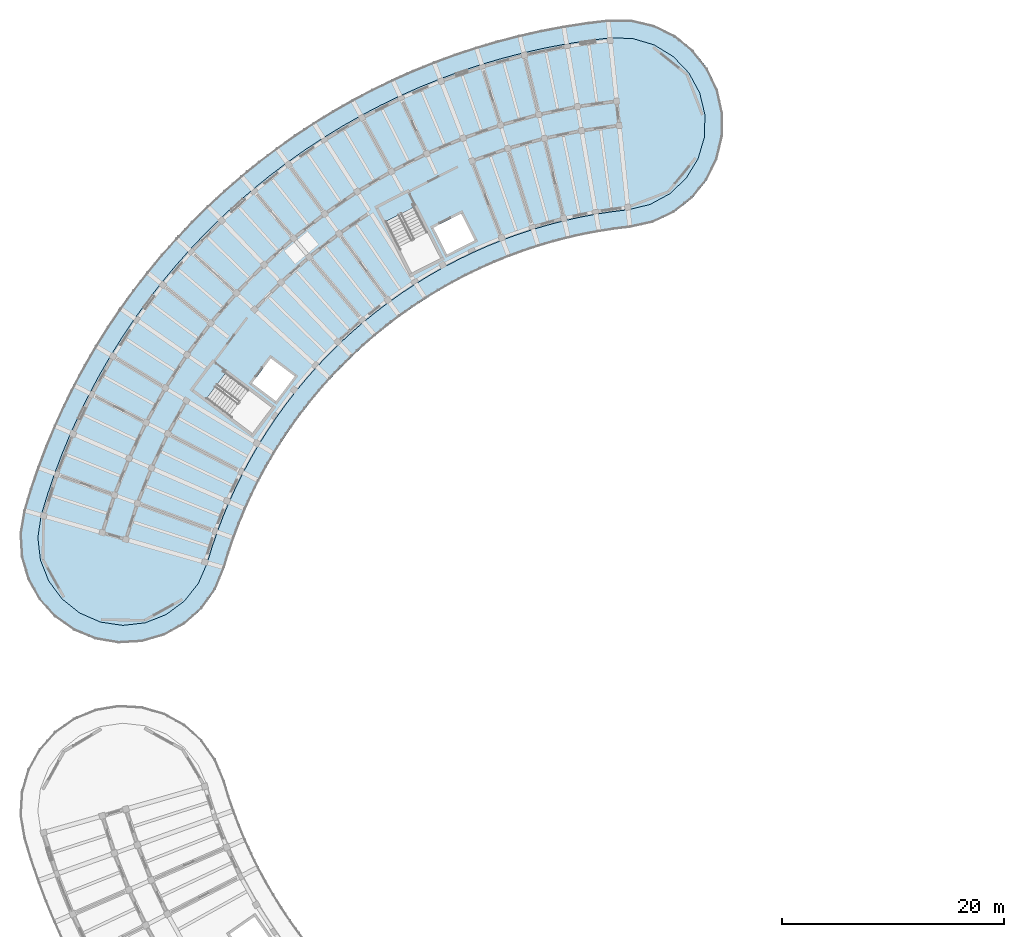
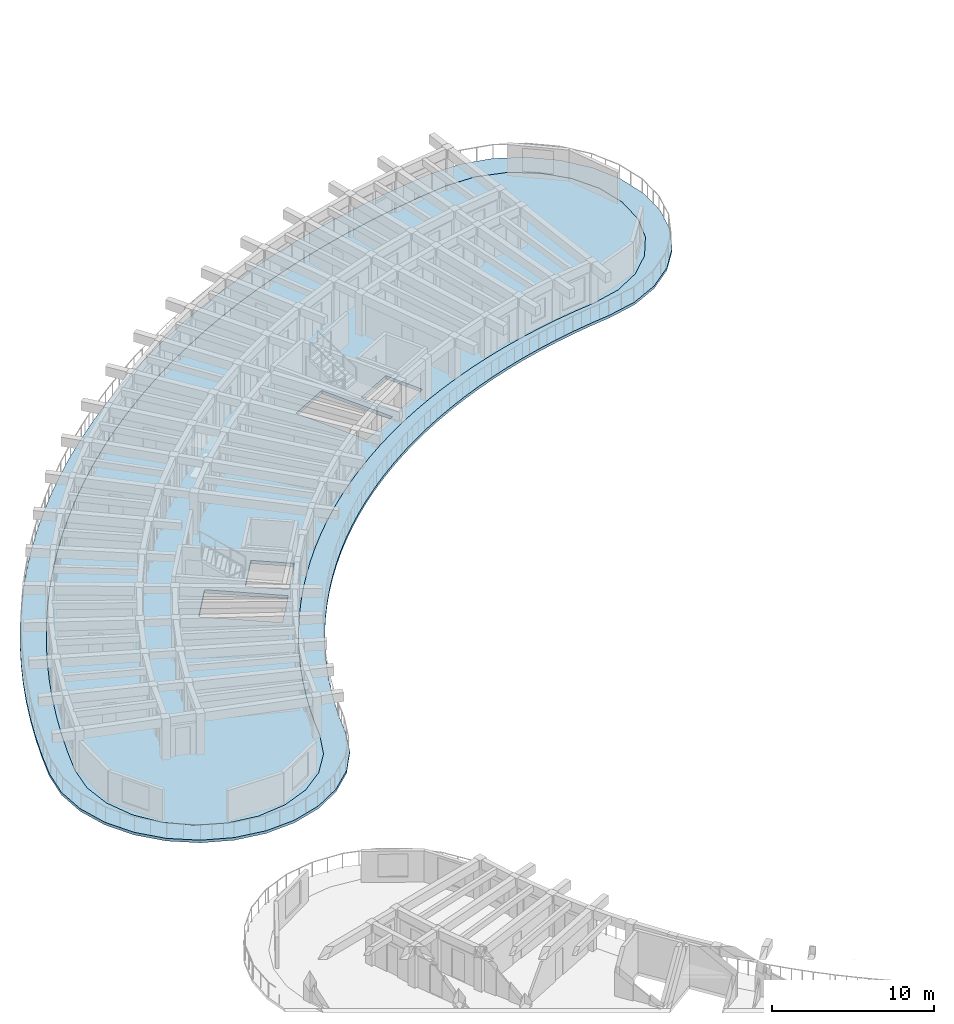
# One storey, part 33 of 81: 2 slabs.
"""IFC4 building model written with IfcOpenShell, lengths in metres."""

from ifc_helpers import new_model, si_unit, direction, frame, origin, place, context, subcontext, project, spatial, polyline, outline, extrude, material, layer, layer_set, type_object, element, save


model = new_model("IFC4")

# Units and contexts
model_context = context("Model", 3, precision=1e-05, world=origin(), true_north=direction((0.0, 1.0)))
body_context = subcontext(model_context, "Body", "Model", "MODEL_VIEW")
ifc_project = project(units=[si_unit("LENGTHUNIT", "METRE"), si_unit("AREAUNIT", "SQUARE_METRE"), si_unit("VOLUMEUNIT", "CUBIC_METRE"), si_unit("PLANEANGLEUNIT", "RADIAN"), si_unit("MASSUNIT", "GRAM", prefix="KILO")], contexts=[model_context])

# Site, building, storey
site_placement = place(None, origin())
site = spatial("IfcSite", under=ifc_project, at=site_placement, CompositionType="ELEMENT")
building_placement = place(site_placement, origin())
building = spatial("IfcBuilding", under=site, at=building_placement, Name="Tanwirah Colonnade Gardens", CompositionType="ELEMENT")
storey_placement = place(building_placement, frame((0.0, 0.0, 18.919921875)))
storey = spatial("IfcBuildingStorey", under=building, at=storey_placement, Name="L05", CompositionType="ELEMENT", Elevation=18.919921875)

# Slabs
ifc_material_1 = material(Name="White architectural precast concrete C40/50", Category="concrete")
ifc_layer_1 = layer(ifc_material_1, 0.199951171875)
ifc_layer_set_1 = layer_set([ifc_layer_1], Name="White architectural precast concrete C40/50")
slab_type_1 = type_object("IfcSlabType", Name="SL-BAL-200", PredefinedType="FLOOR", material=ifc_layer_set_1)
slab_1_placement = place(storey_placement, frame((0.0, 0.0, -0.199951171875)))
element("IfcSlab", 1, at=slab_1_placement, inside=storey, type_object=slab_type_1, Name="Block A L05 Continuous White Balcony Ribbon", PredefinedType="FLOOR", context=body_context, shape_type="SweptSolid", body=[
    extrude(outline(polyline([(62.602783203125, 103.019775390625), (64.505859375, 103.918701171875), (66.161376953125, 105.21875), (67.486083984375, 106.854736328125), (68.41357421875, 108.744140625), (68.897216796875, 110.792724609375), (68.9130859375, 112.897705078125), (68.4599609375, 114.953369140625), (67.560791015625, 116.8564453125), (66.2607421875, 118.511962890625), (64.625, 119.836669921875), (62.7353515625, 120.76416015625), (60.686767578125, 121.247802734375), (58.58203125, 121.263671875), (56.57275390625, 121.018798828125), (54.572509765625, 120.7080078125), (52.583740234375, 120.33154296875), (50.608642578125, 119.8896484375), (48.64892578125, 119.3828125), (46.70703125, 118.811767578125), (44.78515625, 118.1767578125), (42.885009765625, 117.47900390625), (41.009033203125, 116.718994140625), (39.1591796875, 115.8974609375), (37.33740234375, 115.015380859375), (35.545654296875, 114.073974609375), (33.785888671875, 113.07373046875), (32.06005859375, 112.01611328125), (30.3701171875, 110.90234375), (28.717529296875, 109.7333984375), (27.104736328125, 108.510498046875), (25.532958984375, 107.235107421875), (24.00390625, 105.90869140625), (22.51953125, 104.532470703125), (21.08154296875, 103.108154296875), (19.69091796875, 101.63720703125), (18.349853515625, 100.121337890625), (17.059326171875, 98.56201171875), (15.82080078125, 96.9609375), (14.6357421875, 95.320068359375), (13.505615234375, 93.640869140625), (12.431396484375, 91.92529296875), (11.414306640625, 90.17529296875), (10.455322265625, 88.392822265625), (9.5556640625, 86.57958984375), (8.71630859375, 84.73779296875), (7.93798828125, 82.869140625), (7.221923828125, 80.97607421875), (6.568359375, 79.060302734375), (5.978515625, 77.1240234375), (5.62841796875, 75.048583984375), (5.749267578125, 72.947021484375), (6.33447265625, 70.925048828125), (7.35498046875, 69.083984375), (8.759521484375, 67.516357421875), (10.477783203125, 66.30029296875), (12.42333984375, 65.497314453125), (14.4990234375, 65.147216796875), (16.6005859375, 65.267822265625), (18.62255859375, 65.853271484375), (20.46337890625, 66.873779296875), (22.03125, 68.2783203125), (23.2470703125, 69.996337890625), (24.05029296875, 71.942138671875), (24.45947265625, 73.28564453125), (24.912841796875, 74.61474609375), (25.409912109375, 75.92822265625), (25.94970703125, 77.224609375), (26.531982421875, 78.50244140625), (27.15625, 79.760498046875), (27.821533203125, 80.997314453125), (28.52734375, 82.21142578125), (29.272705078125, 83.401611328125), (30.056884765625, 84.566650390625), (30.87890625, 85.705078125), (31.73828125, 86.81591796875), (32.633544921875, 87.89794921875), (33.564208984375, 88.94970703125), (34.52880859375, 89.97021484375), (35.526611328125, 90.95849609375), (36.556396484375, 91.9130859375), (37.6171875, 92.83349609375), (38.707763671875, 93.71826171875), (39.826904296875, 94.566650390625), (40.973388671875, 95.3779296875), (42.14599609375, 96.150634765625), (43.34326171875, 96.884521484375), (44.564208984375, 97.578369140625), (45.807373046875, 98.231689453125), (47.0712890625, 98.843505859375), (48.354736328125, 99.41357421875), (49.656494140625, 99.94091796875), (50.974609375, 100.425048828125), (52.30810546875, 100.865478515625), (53.655517578125, 101.26171875), (55.01513671875, 101.61328125), (56.385498046875, 101.919921875), (57.765380859375, 102.18115234375), (59.153076171875, 102.396728515625), (60.547119140625, 102.566650390625), (62.602783203125, 103.019775390625)]), holes=[polyline([(62.3525390625, 104.652099609375), (60.376220703125, 104.177490234375), (58.930908203125, 104.00146484375), (58.930419921875, 104.00146484375), (57.490478515625, 103.777587890625), (57.489990234375, 103.777587890625), (56.058349609375, 103.506591796875), (56.0576171875, 103.50634765625), (54.6357421875, 103.188232421875), (54.635009765625, 103.18798828125), (53.224365234375, 102.8232421875), (53.2236328125, 102.822998046875), (51.825927734375, 102.411865234375), (51.8251953125, 102.411865234375), (50.441650390625, 101.954833984375), (50.44091796875, 101.95458984375), (49.0732421875, 101.4521484375), (49.07275390625, 101.451904296875), (47.72216796875, 100.90478515625), (47.7216796875, 100.904541015625), (46.389892578125, 100.313232421875), (46.38916015625, 100.31298828125), (45.077880859375, 99.677978515625), (45.0771484375, 99.677734375), (43.787353515625, 99.0), (43.786865234375, 98.99951171875), (42.52001953125, 98.279541015625), (42.51953125, 98.279296875), (41.277099609375, 97.51806640625), (41.276611328125, 97.517578125), (40.059814453125, 96.7158203125), (40.059326171875, 96.71533203125), (38.869873046875, 95.873779296875), (38.869384765625, 95.87353515625), (37.708251953125, 94.9931640625), (37.707763671875, 94.99267578125), (36.576171875, 94.07470703125), (36.57568359375, 94.07421875), (35.47509765625, 93.119384765625), (35.474609375, 93.118896484375), (34.406005859375, 92.12841796875), (34.405517578125, 92.1279296875), (33.370361328125, 91.1025390625), (33.369873046875, 91.10205078125), (32.368896484375, 90.043212890625), (32.368408203125, 90.042724609375), (31.40283203125, 88.951416015625), (31.402587890625, 88.950927734375), (30.473388671875, 87.828369140625), (30.47314453125, 87.827880859375), (29.58154296875, 86.67529296875), (29.581298828125, 86.6748046875), (28.728271484375, 85.493408203125), (28.727783203125, 85.492919921875), (27.9140625, 84.2841796875), (27.913818359375, 84.28369140625), (27.140380859375, 83.048828125), (27.14013671875, 83.048095703125), (26.407958984375, 81.788330078125), (26.40771484375, 81.787841796875), (25.71728515625, 80.504638671875), (25.717041015625, 80.504150390625), (25.0693359375, 79.19873046875), (25.069091796875, 79.1982421875), (24.46484375, 77.872314453125), (24.464599609375, 77.87158203125), (23.904296875, 76.526611328125), (23.904052734375, 76.52587890625), (23.388671875, 75.1630859375), (23.388427734375, 75.16259765625), (22.91796875, 73.783447265625), (22.917724609375, 73.78271484375), (22.493408203125, 72.39013671875), (21.68310546875, 70.526123046875), (20.418701171875, 68.936767578125), (18.7861328125, 67.728759765625), (16.896484375, 66.984375), (14.878662109375, 66.75439453125), (12.869873046875, 67.0546875), (11.007568359375, 67.864501953125), (9.41796875, 69.12890625), (8.2099609375, 70.761474609375), (7.465576171875, 72.651123046875), (7.23583984375, 74.6689453125), (7.5361328125, 76.6787109375), (8.110107421875, 78.562744140625), (8.746337890625, 80.427978515625), (9.443603515625, 82.271240234375), (10.201171875, 84.09033203125), (11.0185546875, 85.883544921875), (11.89453125, 87.64892578125), (12.828125, 89.384521484375), (13.818359375, 91.08837890625), (14.8642578125, 92.758544921875), (15.964599609375, 94.393310546875), (17.118408203125, 95.990966796875), (18.32421875, 97.5498046875), (19.58056640625, 99.068115234375), (20.886474609375, 100.5439453125), (22.240234375, 101.97607421875), (23.640380859375, 103.36279296875), (25.085693359375, 104.70263671875), (26.57421875, 105.994140625), (28.1044921875, 107.23583984375), (29.6748046875, 108.42626953125), (31.28369140625, 109.564453125), (32.92919921875, 110.649169921875), (34.609375, 111.6787109375), (36.32275390625, 112.652587890625), (38.067138671875, 113.5693359375), (39.841064453125, 114.427978515625), (41.64208984375, 115.227783203125), (43.468505859375, 115.9677734375), (45.318359375, 116.647216796875), (47.189697265625, 117.26513671875), (49.080322265625, 117.8212890625), (50.98828125, 118.314697265625), (52.911376953125, 118.744873046875), (54.84765625, 119.111572265625), (56.795166015625, 119.414306640625), (58.750244140625, 119.65234375), (60.781494140625, 119.59912109375), (62.728759765625, 119.0224609375), (64.46044921875, 117.961181640625), (65.858642578125, 116.488037109375), (66.82763671875, 114.703125), (67.3017578125, 112.728271484375), (67.24853515625, 110.697998046875), (66.671630859375, 108.750732421875), (65.610595703125, 107.01904296875), (64.137451171875, 105.62109375), (62.3525390625, 104.652099609375)])]), origin(), (0.0, 0.0, 1.0), 0.199951171875),
])
ifc_material_2 = material(Name="Precast concrete C40/50", Category="concrete")
ifc_layer_2 = layer(ifc_material_2, 0.25)
ifc_layer_set_2 = layer_set([ifc_layer_2], Name="Precast concrete C40/50")
slab_type_2 = type_object("IfcSlabType", Name="SL-RES-250", PredefinedType="FLOOR", material=ifc_layer_set_2)
slab_2_placement = place(storey_placement, frame((0.0, 0.0, -0.25)))
element("IfcSlab", 2, at=slab_2_placement, inside=storey, type_object=slab_type_2, Name="Block A L05 Precast Composite Floor Slab", PredefinedType="FLOOR", context=body_context, shape_type="SweptSolid", body=[
    extrude(outline(polyline([(57.49365234375, 103.758056640625), (58.933349609375, 103.981689453125), (60.3798828125, 104.157958984375), (62.35986328125, 104.63330078125), (64.149169921875, 105.604736328125), (65.626220703125, 107.00634765625), (66.690185546875, 108.74267578125), (67.2685546875, 110.695068359375), (67.32177734375, 112.73046875), (66.846435546875, 114.71044921875), (65.874755859375, 116.499755859375), (64.47314453125, 117.976806640625), (62.737060546875, 119.040771484375), (60.78466796875, 119.619140625), (58.749267578125, 119.67236328125), (56.792236328125, 119.43408203125), (54.84423828125, 119.13134765625), (52.907470703125, 118.7646484375), (50.983642578125, 118.334228515625), (49.074951171875, 117.840576171875), (47.183837890625, 117.284423828125), (45.311767578125, 116.666015625), (43.46142578125, 115.986328125), (41.63427734375, 115.24609375), (39.83251953125, 114.446044921875), (38.05810546875, 113.587158203125), (36.313232421875, 112.669921875), (34.599365234375, 111.696044921875), (32.91845703125, 110.666015625), (31.2724609375, 109.5810546875), (29.6630859375, 108.442626953125), (28.092041015625, 107.25146484375), (26.561279296875, 106.009521484375), (25.072265625, 104.717529296875), (23.62646484375, 103.377197265625), (22.225830078125, 101.990234375), (20.87158203125, 100.5576171875), (19.5654296875, 99.0810546875), (18.30859375, 97.562255859375), (17.102294921875, 96.0029296875), (15.9482421875, 94.40478515625), (14.847412109375, 92.76953125), (13.80126953125, 91.0986328125), (12.810546875, 89.394287109375), (11.876708984375, 87.658203125), (11.00048828125, 85.892333984375), (10.182861328125, 84.098388671875), (9.425048828125, 82.278564453125), (8.7275390625, 80.434814453125), (8.091064453125, 78.56884765625), (7.5166015625, 76.68310546875), (7.215576171875, 74.669189453125), (7.446044921875, 72.646240234375), (8.1923828125, 70.751708984375), (9.403564453125, 69.11474609375), (10.9970703125, 67.84716796875), (12.864501953125, 67.035400390625), (14.878173828125, 66.734375), (16.9013671875, 66.96484375), (18.7958984375, 67.711181640625), (20.4326171875, 68.92236328125), (21.7001953125, 70.515869140625), (22.51220703125, 72.383056640625), (22.93701171875, 73.777099609375), (23.4072265625, 75.156005859375), (23.9228515625, 76.518798828125), (24.483154296875, 77.864013671875), (25.08740234375, 79.18994140625), (25.73486328125, 80.4951171875), (26.42529296875, 81.7783203125), (27.157470703125, 83.0380859375), (27.9306640625, 84.27294921875), (28.744384765625, 85.48193359375), (29.597412109375, 86.6630859375), (30.489013671875, 87.815673828125), (31.41796875, 88.938232421875), (32.38330078125, 90.029541015625), (33.38427734375, 91.08837890625), (34.419677734375, 92.11376953125), (35.48828125, 93.104248046875), (36.5888671875, 94.05908203125), (37.72021484375, 94.977294921875), (38.88134765625, 95.857421875), (40.07080078125, 96.698974609375), (41.28759765625, 97.5009765625), (42.52978515625, 98.26220703125), (43.796630859375, 98.982177734375), (45.08642578125, 99.659912109375), (46.39794921875, 100.294921875), (47.729736328125, 100.88623046875), (49.080078125, 101.433349609375), (50.447998046875, 101.935791015625), (51.83154296875, 102.392822265625), (53.229248046875, 102.803955078125), (54.64013671875, 103.168701171875), (56.06201171875, 103.48681640625), (57.49365234375, 103.758056640625)]), holes=[polyline([(41.13427734375, 104.433349609375), (43.49365234375, 99.802734375), (40.897216796875, 98.479736328125), (38.537841796875, 103.1103515625), (41.13427734375, 104.433349609375)]), polyline([(46.574462890625, 101.428466796875), (44.07958984375, 100.157470703125), (42.853759765625, 102.563232421875), (45.3486328125, 103.834228515625), (46.574462890625, 101.428466796875)]), polyline([(26.555908203125, 84.039794921875), (22.4052734375, 87.16748046875), (24.158935546875, 89.49462890625), (28.3095703125, 86.366943359375), (26.555908203125, 84.039794921875)]), polyline([(26.5244140625, 88.5673828125), (28.20947265625, 90.8037109375), (30.36572265625, 89.1787109375), (28.6806640625, 86.942626953125), (26.5244140625, 88.5673828125)])]), origin(), (0.0, 0.0, 1.0), 0.25),
])

save(model, "model.ifc")
